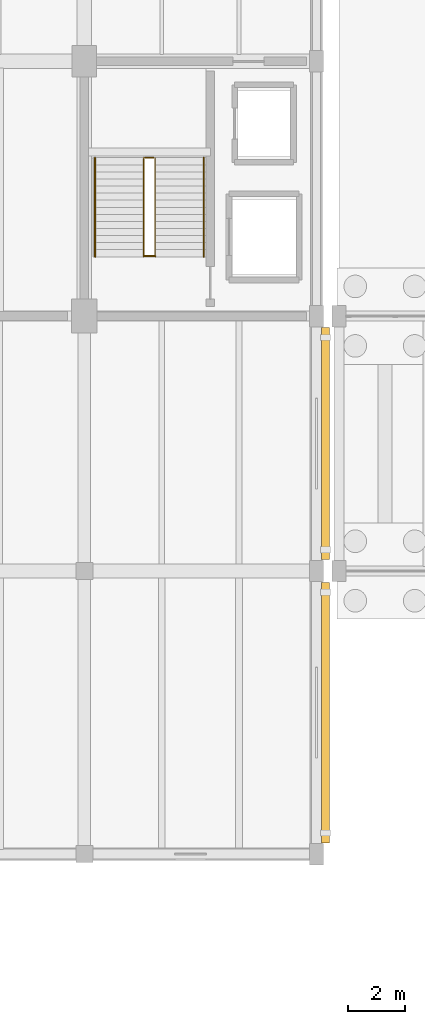
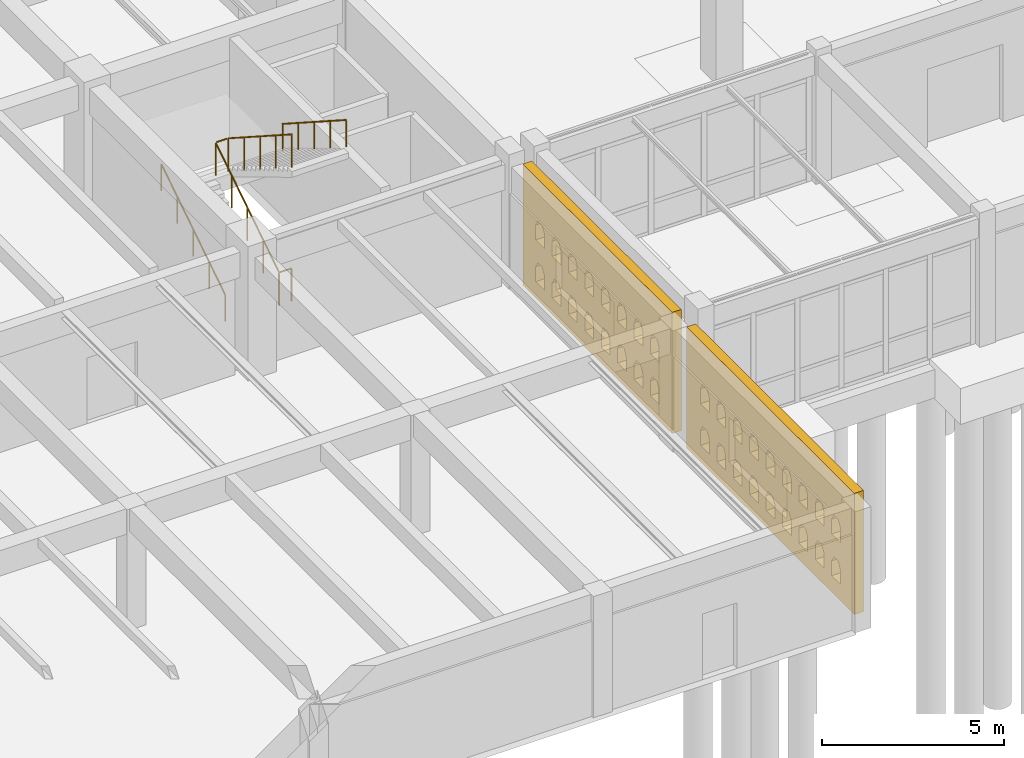
# One storey, part 179 of 186: 4 railings, 2 coverings.
"""IFC4 building model written with IfcOpenShell, lengths in metres."""

from ifc_helpers import new_model, si_unit, direction, frame, origin, origin_2d, place, context, subcontext, project, spatial, polyline, circle, outline, extrude, material, layer, layer_set, type_object, element, save


model = new_model("IFC4")

# Units and contexts
model_context = context("Model", 3, precision=1e-05, world=origin(), true_north=direction((0.0, 1.0)))
body_context = subcontext(model_context, "Body", "Model", "MODEL_VIEW")
ifc_project = project(units=[si_unit("LENGTHUNIT", "METRE"), si_unit("AREAUNIT", "SQUARE_METRE"), si_unit("VOLUMEUNIT", "CUBIC_METRE"), si_unit("PLANEANGLEUNIT", "RADIAN"), si_unit("MASSUNIT", "GRAM", prefix="KILO")], contexts=[model_context])

# Site, building, storey
site_placement = place(None, origin())
site = spatial("IfcSite", under=ifc_project, at=site_placement, CompositionType="ELEMENT")
building_placement = place(site_placement, origin())
building = spatial("IfcBuilding", under=site, at=building_placement, Name="Ornek Quay Market", CompositionType="ELEMENT")
storey_placement = place(building_placement, origin())
storey = spatial("IfcBuildingStorey", under=building, at=storey_placement, Name="L00", CompositionType="ELEMENT", Elevation=0.0)

# Coverings
ifc_material_1 = material(Name="Frost-resistant facing clay brick M200 F100", Category="masonry")
ifc_layer = layer(ifc_material_1, 0.2900390625, Name="Frost-resistant facing clay brick M200 F100", Category="masonry")
ifc_layer_set = layer_set([ifc_layer], Name="Frost-resistant facing clay brick M200 F100")
covering_type = type_object("IfcCoveringType", Name="COV-BRICK-LATTICE-290", PredefinedType="CLADDING", material=ifc_layer_set)
covering_1_placement = place(storey_placement, frame((125.52001953125, 10.39990234375, 0.0), z_axis=(0.0, 0.0, 1.0), x_axis=(0.0, 1.0, 0.0)))
element("IfcCovering", 1, at=covering_1_placement, inside=storey, type_object=covering_type, Name="Arched brick lattice screen BLS-033", PredefinedType="CLADDING", context=body_context, shape_type="SweptSolid", body=[
    extrude(outline(polyline([(0.0, 0.0), (9.2001953125, 0.0), (9.2001953125, 4.06005859375), (0.0, 4.06005859375), (0.0, 0.0)]), holes=[polyline([(0.760009765625, 0.550048828125), (1.239990234375, 0.550048828125), (1.239990234375, 1.050048828125), (1.1201171875, 1.2578125), (0.8798828125, 1.2578125), (0.760009765625, 1.050048828125), (0.760009765625, 0.550048828125)]), polyline([(0.760009765625, 1.949951171875), (1.239990234375, 1.949951171875), (1.239990234375, 2.449951171875), (1.1201171875, 2.65771484375), (0.8798828125, 2.65771484375), (0.760009765625, 2.449951171875), (0.760009765625, 1.949951171875)]), polyline([(1.659912109375, 0.550048828125), (2.139892578125, 0.550048828125), (2.139892578125, 1.050048828125), (2.02001953125, 1.2578125), (1.780029296875, 1.2578125), (1.659912109375, 1.050048828125), (1.659912109375, 0.550048828125)]), polyline([(1.659912109375, 1.949951171875), (2.139892578125, 1.949951171875), (2.139892578125, 2.449951171875), (2.02001953125, 2.65771484375), (1.780029296875, 2.65771484375), (1.659912109375, 2.449951171875), (1.659912109375, 1.949951171875)]), polyline([(2.56005859375, 0.550048828125), (3.0400390625, 0.550048828125), (3.0400390625, 1.050048828125), (2.919921875, 1.2578125), (2.679931640625, 1.2578125), (2.56005859375, 1.050048828125), (2.56005859375, 0.550048828125)]), polyline([(2.56005859375, 1.949951171875), (3.0400390625, 1.949951171875), (3.0400390625, 2.449951171875), (2.919921875, 2.65771484375), (2.679931640625, 2.65771484375), (2.56005859375, 2.449951171875), (2.56005859375, 1.949951171875)]), polyline([(3.4599609375, 0.550048828125), (3.93994140625, 0.550048828125), (3.93994140625, 1.050048828125), (3.820068359375, 1.2578125), (3.580078125, 1.2578125), (3.4599609375, 1.050048828125), (3.4599609375, 0.550048828125)]), polyline([(3.4599609375, 1.949951171875), (3.93994140625, 1.949951171875), (3.93994140625, 2.449951171875), (3.820068359375, 2.65771484375), (3.580078125, 2.65771484375), (3.4599609375, 2.449951171875), (3.4599609375, 1.949951171875)]), polyline([(4.360107421875, 0.550048828125), (4.840087890625, 0.550048828125), (4.840087890625, 1.050048828125), (4.719970703125, 1.2578125), (4.47998046875, 1.2578125), (4.360107421875, 1.050048828125), (4.360107421875, 0.550048828125)]), polyline([(4.360107421875, 1.949951171875), (4.840087890625, 1.949951171875), (4.840087890625, 2.449951171875), (4.719970703125, 2.65771484375), (4.47998046875, 2.65771484375), (4.360107421875, 2.449951171875), (4.360107421875, 1.949951171875)]), polyline([(5.260009765625, 0.550048828125), (5.739990234375, 0.550048828125), (5.739990234375, 1.050048828125), (5.6201171875, 1.2578125), (5.3798828125, 1.2578125), (5.260009765625, 1.050048828125), (5.260009765625, 0.550048828125)]), polyline([(5.260009765625, 1.949951171875), (5.739990234375, 1.949951171875), (5.739990234375, 2.449951171875), (5.6201171875, 2.65771484375), (5.3798828125, 2.65771484375), (5.260009765625, 2.449951171875), (5.260009765625, 1.949951171875)]), polyline([(6.159912109375, 0.550048828125), (6.639892578125, 0.550048828125), (6.639892578125, 1.050048828125), (6.52001953125, 1.2578125), (6.280029296875, 1.2578125), (6.159912109375, 1.050048828125), (6.159912109375, 0.550048828125)]), polyline([(6.159912109375, 1.949951171875), (6.639892578125, 1.949951171875), (6.639892578125, 2.449951171875), (6.52001953125, 2.65771484375), (6.280029296875, 2.65771484375), (6.159912109375, 2.449951171875), (6.159912109375, 1.949951171875)]), polyline([(7.06005859375, 0.550048828125), (7.5400390625, 0.550048828125), (7.5400390625, 1.050048828125), (7.419921875, 1.2578125), (7.179931640625, 1.2578125), (7.06005859375, 1.050048828125), (7.06005859375, 0.550048828125)]), polyline([(7.06005859375, 1.949951171875), (7.5400390625, 1.949951171875), (7.5400390625, 2.449951171875), (7.419921875, 2.65771484375), (7.179931640625, 2.65771484375), (7.06005859375, 2.449951171875), (7.06005859375, 1.949951171875)]), polyline([(7.9599609375, 0.550048828125), (8.43994140625, 0.550048828125), (8.43994140625, 1.050048828125), (8.320068359375, 1.2578125), (8.080078125, 1.2578125), (7.9599609375, 1.050048828125), (7.9599609375, 0.550048828125)]), polyline([(7.9599609375, 1.949951171875), (8.43994140625, 1.949951171875), (8.43994140625, 2.449951171875), (8.320068359375, 2.65771484375), (8.080078125, 2.65771484375), (7.9599609375, 2.449951171875), (7.9599609375, 1.949951171875)])]), frame((0.0, 0.14501953125, 0.0), z_axis=(0.0, -1.0, 0.0), x_axis=(1.0, 0.0, 0.0)), (0.0, 0.0, 1.0), 0.2900390625),
])
covering_2_placement = place(storey_placement, frame((125.52001953125, 20.39990234375, 0.0), z_axis=(0.0, 0.0, 1.0), x_axis=(0.0, 1.0, 0.0)))
element("IfcCovering", 2, at=covering_2_placement, inside=storey, type_object=covering_type, Name="Arched brick lattice screen BLS-034", PredefinedType="CLADDING", context=body_context, shape_type="SweptSolid", body=[
    extrude(outline(polyline([(0.0, 0.0), (8.2001953125, 0.0), (8.2001953125, 4.06005859375), (0.0, 4.06005859375), (0.0, 0.0)]), holes=[polyline([(0.7099609375, 0.550048828125), (1.18994140625, 0.550048828125), (1.18994140625, 1.050048828125), (1.070068359375, 1.2578125), (0.830078125, 1.2578125), (0.7099609375, 1.050048828125), (0.7099609375, 0.550048828125)]), polyline([(0.7099609375, 1.949951171875), (1.18994140625, 1.949951171875), (1.18994140625, 2.449951171875), (1.070068359375, 2.65771484375), (0.830078125, 2.65771484375), (0.7099609375, 2.449951171875), (0.7099609375, 1.949951171875)]), polyline([(1.610107421875, 0.550048828125), (2.090087890625, 0.550048828125), (2.090087890625, 1.050048828125), (1.969970703125, 1.2578125), (1.72998046875, 1.2578125), (1.610107421875, 1.050048828125), (1.610107421875, 0.550048828125)]), polyline([(1.610107421875, 1.949951171875), (2.090087890625, 1.949951171875), (2.090087890625, 2.449951171875), (1.969970703125, 2.65771484375), (1.72998046875, 2.65771484375), (1.610107421875, 2.449951171875), (1.610107421875, 1.949951171875)]), polyline([(2.510009765625, 0.550048828125), (2.989990234375, 0.550048828125), (2.989990234375, 1.050048828125), (2.8701171875, 1.2578125), (2.6298828125, 1.2578125), (2.510009765625, 1.050048828125), (2.510009765625, 0.550048828125)]), polyline([(2.510009765625, 1.949951171875), (2.989990234375, 1.949951171875), (2.989990234375, 2.449951171875), (2.8701171875, 2.65771484375), (2.6298828125, 2.65771484375), (2.510009765625, 2.449951171875), (2.510009765625, 1.949951171875)]), polyline([(3.409912109375, 0.550048828125), (3.889892578125, 0.550048828125), (3.889892578125, 1.050048828125), (3.77001953125, 1.2578125), (3.530029296875, 1.2578125), (3.409912109375, 1.050048828125), (3.409912109375, 0.550048828125)]), polyline([(3.409912109375, 1.949951171875), (3.889892578125, 1.949951171875), (3.889892578125, 2.449951171875), (3.77001953125, 2.65771484375), (3.530029296875, 2.65771484375), (3.409912109375, 2.449951171875), (3.409912109375, 1.949951171875)]), polyline([(4.31005859375, 0.550048828125), (4.7900390625, 0.550048828125), (4.7900390625, 1.050048828125), (4.669921875, 1.2578125), (4.429931640625, 1.2578125), (4.31005859375, 1.050048828125), (4.31005859375, 0.550048828125)]), polyline([(4.31005859375, 1.949951171875), (4.7900390625, 1.949951171875), (4.7900390625, 2.449951171875), (4.669921875, 2.65771484375), (4.429931640625, 2.65771484375), (4.31005859375, 2.449951171875), (4.31005859375, 1.949951171875)]), polyline([(5.2099609375, 0.550048828125), (5.68994140625, 0.550048828125), (5.68994140625, 1.050048828125), (5.570068359375, 1.2578125), (5.330078125, 1.2578125), (5.2099609375, 1.050048828125), (5.2099609375, 0.550048828125)]), polyline([(5.2099609375, 1.949951171875), (5.68994140625, 1.949951171875), (5.68994140625, 2.449951171875), (5.570068359375, 2.65771484375), (5.330078125, 2.65771484375), (5.2099609375, 2.449951171875), (5.2099609375, 1.949951171875)]), polyline([(6.110107421875, 0.550048828125), (6.590087890625, 0.550048828125), (6.590087890625, 1.050048828125), (6.469970703125, 1.2578125), (6.22998046875, 1.2578125), (6.110107421875, 1.050048828125), (6.110107421875, 0.550048828125)]), polyline([(6.110107421875, 1.949951171875), (6.590087890625, 1.949951171875), (6.590087890625, 2.449951171875), (6.469970703125, 2.65771484375), (6.22998046875, 2.65771484375), (6.110107421875, 2.449951171875), (6.110107421875, 1.949951171875)]), polyline([(7.010009765625, 0.550048828125), (7.489990234375, 0.550048828125), (7.489990234375, 1.050048828125), (7.3701171875, 1.2578125), (7.1298828125, 1.2578125), (7.010009765625, 1.050048828125), (7.010009765625, 0.550048828125)]), polyline([(7.010009765625, 1.949951171875), (7.489990234375, 1.949951171875), (7.489990234375, 2.449951171875), (7.3701171875, 2.65771484375), (7.1298828125, 2.65771484375), (7.010009765625, 2.449951171875), (7.010009765625, 1.949951171875)])]), frame((0.0, 0.14501953125, 0.0), z_axis=(0.0, -1.0, 0.0), x_axis=(1.0, 0.0, 0.0)), (0.0, 0.0, 1.0), 0.2900390625),
])

# Railings
ifc_material_2 = material(Name="Brushed stainless steel 316", Category="steel")
railing_type_1 = type_object("IfcRailingType", Name="RL-GUARD-STAIR-1100", PredefinedType="GUARDRAIL", material=ifc_material_2)
railing_1_placement = place(storey_placement, frame((119.10009765625, 31.1201171875, 0.0)))
element("IfcRailing", 3, at=railing_1_placement, inside=storey, type_object=railing_type_1, Name="Railing GR-03-028", PredefinedType="GUARDRAIL", context=body_context, shape_type="SweptSolid", body=[
    extrude(circle(Radius=0.02392578125, at=origin_2d()), frame((0.0, 0.0, 1.09619140625), z_axis=(1.0, 0.0, 0.0), x_axis=(0.0, 1.0, 0.0)), (0.0, 0.0, 1.0), 0.39990234375),
    extrude(circle(Radius=0.02099609375, at=origin_2d()), origin(), (0.0, 0.0, 1.0), 1.068115234375),
    extrude(circle(Radius=0.02099609375, at=origin_2d()), frame((0.39990234375, 0.0, 0.0)), (0.0, 0.0, 1.0), 1.068115234375),
])
railing_2_placement = place(storey_placement, frame((119.10009765625, 31.095947265625, 0.0)))
element("IfcRailing", 4, at=railing_2_placement, inside=storey, type_object=railing_type_1, Name="Railing GR-03-029", PredefinedType="GUARDRAIL", context=body_context, shape_type="SweptSolid", body=[
    extrude(circle(Radius=0.02392578125, at=origin_2d()), frame((0.0, 0.0, 1.09619140625), z_axis=(0.0, 0.840903622667, 0.541184901292), x_axis=(-1.0, 0.0, 0.0)), (0.0, 0.0, 1.0), 4.12744140625),
    extrude(circle(Radius=0.02392578125, at=origin_2d()), frame((0.030029296875, 3.49609375, 3.34619140625), z_axis=(1.0, 0.0, 0.0), x_axis=(0.0, 1.0, 0.0)), (0.0, 0.0, 1.0), 0.33984375),
    extrude(circle(Radius=0.02392578125, at=origin_2d()), frame((0.39990234375, 3.470947265625, 3.3623046875), z_axis=(0.0, -0.840610876962, 0.541639505145), x_axis=(1.0, 0.0, 0.0)), (0.0, 0.0, 1.0), 4.1240234375),
    extrude(circle(Radius=0.02099609375, at=origin_2d()), origin(), (0.0, 0.0, 1.0), 1.068115234375),
    extrude(circle(Radius=0.02099609375, at=origin_2d()), frame((0.0, 0.8740234375, 0.5625)), (0.0, 0.0, 1.0), 1.068115234375),
    extrude(circle(Radius=0.02099609375, at=origin_2d()), frame((0.0, 1.748046875, 1.125)), (0.0, 0.0, 1.0), 1.068115234375),
    extrude(circle(Radius=0.02099609375, at=origin_2d()), frame((0.0, 2.6220703125, 1.6875)), (0.0, 0.0, 1.0), 1.068115234375),
    extrude(circle(Radius=0.02099609375, at=origin_2d()), frame((0.0, 3.49609375, 2.25)), (0.0, 0.0, 1.0), 1.068115234375),
    extrude(circle(Radius=0.02099609375, at=origin_2d()), frame((0.39990234375, 3.49609375, 2.25)), (0.0, 0.0, 1.0), 1.068115234375),
    extrude(circle(Radius=0.02099609375, at=origin_2d()), frame((0.39990234375, 2.623046875, 2.8125)), (0.0, 0.0, 1.0), 1.068115234375),
    extrude(circle(Radius=0.02099609375, at=origin_2d()), frame((0.39990234375, 1.75, 3.375)), (0.0, 0.0, 1.0), 1.068115234375),
    extrude(circle(Radius=0.02099609375, at=origin_2d()), frame((0.39990234375, 0.877197265625, 3.9375)), (0.0, 0.0, 1.0), 1.068115234375),
    extrude(circle(Radius=0.02099609375, at=origin_2d()), frame((0.39990234375, 0.004150390625, 4.5)), (0.0, 0.0, 1.0), 1.068115234375),
])
railing_type_2 = type_object("IfcRailingType", Name="RL-HANDRAIL-920", PredefinedType="HANDRAIL", material=ifc_material_2)
railing_3_placement = place(storey_placement, frame((117.3798828125, 31.095947265625, 0.080078125)))
element("IfcRailing", 5, at=railing_3_placement, inside=storey, type_object=railing_type_2, Name="Railing HR-01-030", PredefinedType="HANDRAIL", context=body_context, shape_type="SweptSolid", body=[
    extrude(circle(Radius=0.02392578125, at=origin_2d()), frame((0.0, 0.0, 0.89599609375), z_axis=(0.0, 0.840903622667, 0.541184901292), x_axis=(-1.0, 0.0, 0.0)), (0.0, 0.0, 1.0), 4.157470703125),
    extrude(circle(Radius=0.02099609375, at=origin_2d()), origin(), (0.0, 0.0, 1.0), 0.867919921875),
    extrude(circle(Radius=0.02099609375, at=origin_2d()), frame((0.0, 0.8740234375, 0.5625)), (0.0, 0.0, 1.0), 0.867919921875),
    extrude(circle(Radius=0.02099609375, at=origin_2d()), frame((0.0, 1.748046875, 1.125)), (0.0, 0.0, 1.0), 0.867919921875),
    extrude(circle(Radius=0.02099609375, at=origin_2d()), frame((0.0, 2.6220703125, 1.6875)), (0.0, 0.0, 1.0), 0.867919921875),
    extrude(circle(Radius=0.02099609375, at=origin_2d()), frame((0.0, 3.49609375, 2.25)), (0.0, 0.0, 1.0), 0.867919921875),
])
railing_4_placement = place(storey_placement, frame((121.219970703125, 34.592041015625, 2.330078125)))
element("IfcRailing", 6, at=railing_4_placement, inside=storey, type_object=railing_type_2, Name="Railing HR-01-031", PredefinedType="HANDRAIL", context=body_context, shape_type="SweptSolid", body=[
    extrude(circle(Radius=0.02392578125, at=origin_2d()), frame((0.0, 0.0, 0.89599609375), z_axis=(0.0, -0.840610876962, 0.541639505145), x_axis=(1.0, 0.0, 0.0)), (0.0, 0.0, 1.0), 4.154052734375),
    extrude(circle(Radius=0.02099609375, at=origin_2d()), origin(), (0.0, 0.0, 1.0), 0.867919921875),
    extrude(circle(Radius=0.02099609375, at=origin_2d()), frame((0.0, -0.873046875, 0.5625)), (0.0, 0.0, 1.0), 0.867919921875),
    extrude(circle(Radius=0.02099609375, at=origin_2d()), frame((0.0, -1.74609375, 1.125)), (0.0, 0.0, 1.0), 0.867919921875),
    extrude(circle(Radius=0.02099609375, at=origin_2d()), frame((0.0, -2.618896484375, 1.6875)), (0.0, 0.0, 1.0), 0.867919921875),
    extrude(circle(Radius=0.02099609375, at=origin_2d()), frame((0.0, -3.491943359375, 2.25)), (0.0, 0.0, 1.0), 0.867919921875),
])

save(model, "model.ifc")
